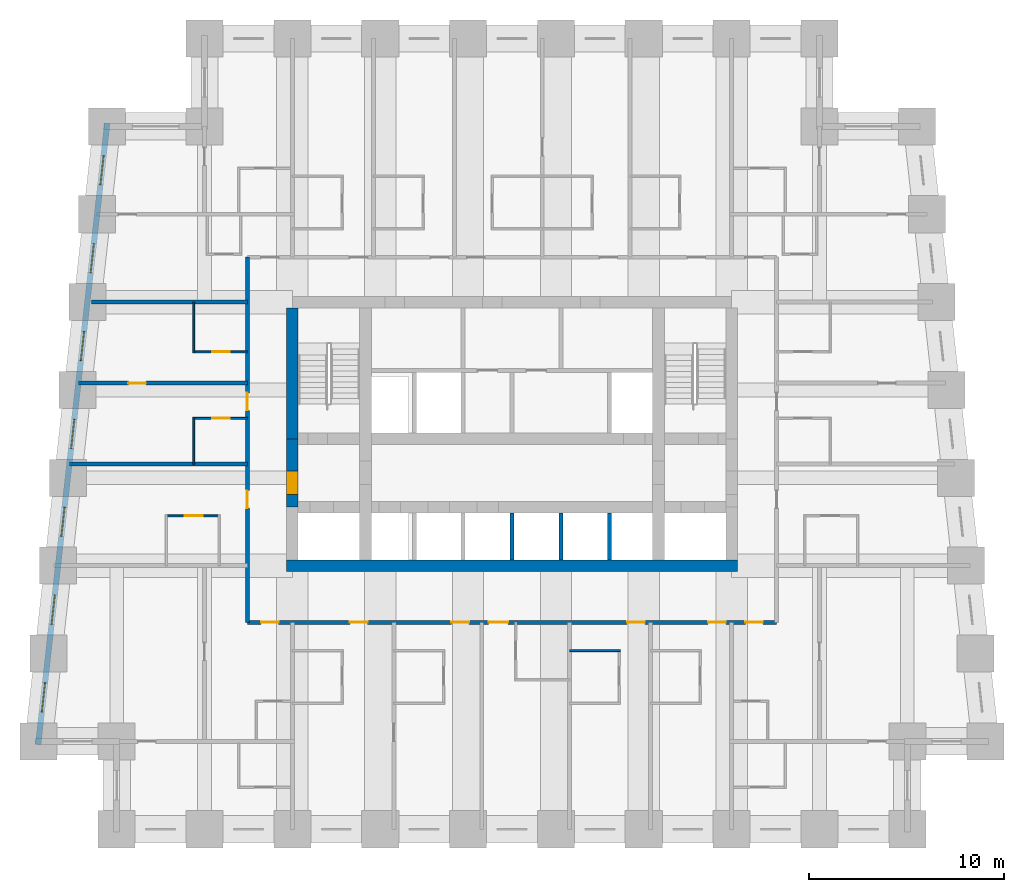
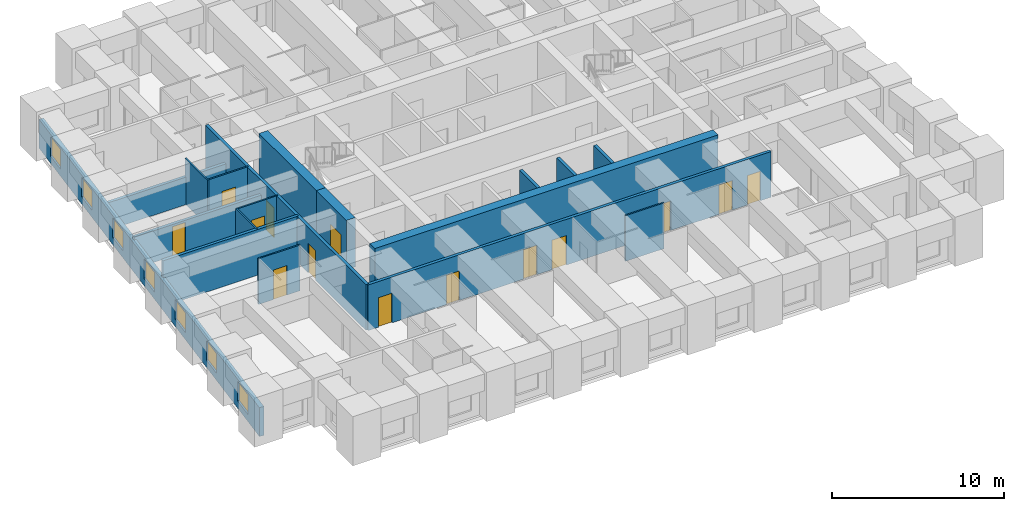
# One storey, part 3 of 8: 18 walls, 14 doors, 7 windows, 21 openings.
"""IFC4 building model written with IfcOpenShell, lengths in metres."""

from ifc_helpers import new_model, si_unit, direction, frame, frame_2d, origin, place, context, subcontext, project, spatial, rectangle, extrude, material, layer, layer_set, type_object, element, fill, save


model = new_model("IFC4")

# Units and contexts
model_context = context("Model", 3, precision=1e-05, world=origin(), true_north=direction((0.0, 1.0)))
body_context = subcontext(model_context, "Body", "Model", "MODEL_VIEW")
ifc_project = project(units=[si_unit("LENGTHUNIT", "METRE"), si_unit("AREAUNIT", "SQUARE_METRE"), si_unit("VOLUMEUNIT", "CUBIC_METRE"), si_unit("PLANEANGLEUNIT", "RADIAN"), si_unit("MASSUNIT", "GRAM", prefix="KILO")], contexts=[model_context])

# Site, building, storey
site_placement = place(None, origin())
site = spatial("IfcSite", under=ifc_project, at=site_placement, CompositionType="ELEMENT")
building_placement = place(site_placement, origin())
building = spatial("IfcBuilding", under=site, at=building_placement, Name="Kilele Tower Hotel", CompositionType="ELEMENT")
storey_placement = place(building_placement, frame((0.0, 0.0, 43.699951171875)))
storey = spatial("IfcBuildingStorey", under=building, at=storey_placement, Name="L09", CompositionType="ELEMENT", Elevation=43.699951171875)

# Wall
ifc_material_1 = material(Name="Moisture-resistant board")
ifc_layer_1 = layer(ifc_material_1, 0.10009765625)
ifc_layer_set_1 = layer_set([ifc_layer_1], Name="Moisture-resistant board")
wall_type_1 = type_object("IfcWallType", Name="Bathroom partition 100", PredefinedType="PLUMBINGWALL", material=ifc_layer_set_1)
wall_1_placement = place(storey_placement, frame((27.699951171875, 9.14990234375, 0.0), z_axis=(0.0, 0.0, 1.0), x_axis=(1.0, 0.0, 0.0)))
element("IfcWall", 1, at=wall_1_placement, inside=storey, type_object=wall_type_1, Name="Bathroom partition 100 L09", PredefinedType="PLUMBINGWALL", context=body_context, shape_type="SweptSolid", body=[
    extrude(rectangle(XDim=2.60009765625, YDim=0.10009765625, at=frame_2d((1.300048828125, 0.0))), origin(), (0.0, 0.0, 1.0), 3.25),
])

# Wall, opening, door
wall_2_placement = place(storey_placement, frame((9.800048828125, 16.050048828125, 0.0), z_axis=(0.0, 0.0, 1.0), x_axis=(-1.0, 0.0, 0.0)))
wall_2 = element("IfcWall", 2, at=wall_2_placement, inside=storey, type_object=wall_type_1, Name="Bathroom partition 100 L09", PredefinedType="PLUMBINGWALL", context=body_context, shape_type="SweptSolid", body=[
    extrude(rectangle(XDim=2.800048828125, YDim=0.10009765625, at=frame_2d((1.39990234375, 0.0))), origin(), (0.0, 0.0, 1.0), 3.25),
])
opening_1_placement = place(wall_2_placement, frame((1.7998046875, 0.0, 0.0), z_axis=(0.0, 0.0, 1.0), x_axis=(-1.0, 0.0, 0.0)))
opening_1 = element("IfcOpeningElement", 3, at=opening_1_placement, cuts=wall_2, Name="Opening D2A", PredefinedType="OPENING", context=body_context, shape_type="SweptSolid", body=[
    extrude(rectangle(XDim=0.89990234375, YDim=2.10009765625, at=frame_2d((0.449951171875, 1.050048828125))), frame((0.0, 0.06005859375, 0.0), z_axis=(0.0, -1.0, 0.0), x_axis=(1.0, 0.0, 0.0)), (0.0, 0.0, 1.0), 0.1201171875),
])
ifc_material_2 = material(Name="Timber door leaf in hardwood frame", Category="wood")
door_type_1 = type_object("IfcDoorType", Name="Bathroom door 900", OperationType="SINGLE_SWING_LEFT", PredefinedType="DOOR", material=ifc_material_2)
door_1_placement = place(opening_1_placement, origin())
door_1 = element("IfcDoor", 4, at=door_1_placement, inside=storey, type_object=door_type_1, Name="Bathroom door 0914B", OperationType="SINGLE_SWING_RIGHT", OverallHeight=2.10009765625, OverallWidth=0.89990234375, PredefinedType="DOOR", context=body_context, shape_type="SweptSolid", body=[
    extrude(rectangle(XDim=0.89990234375, YDim=2.10009765625, at=frame_2d((0.449951171875, 1.050048828125))), frame((0.0, 0.02490234375, 0.0), z_axis=(0.0, -1.0, 0.0), x_axis=(1.0, 0.0, 0.0)), (0.0, 0.0, 1.0), 0.050048828125),
])
fill(opening_1, door_1)

# Wall
wall_3_placement = place(storey_placement, frame((8.449951171875, 18.699951171875, 0.0), z_axis=(0.0, 0.0, 1.0), x_axis=(0.0, 1.0, 0.0)))
element("IfcWall", 5, at=wall_3_placement, inside=storey, type_object=wall_type_1, Name="Bathroom partition 100 L09", PredefinedType="PLUMBINGWALL", context=body_context, shape_type="SweptSolid", body=[
    extrude(rectangle(XDim=2.400146484375, YDim=0.10009765625, at=frame_2d((1.2001953125, 0.0))), origin(), (0.0, 0.0, 1.0), 3.25),
])

# Wall, opening, door
wall_4_placement = place(storey_placement, frame((11.199951171875, 21.050048828125, 0.0), z_axis=(0.0, 0.0, 1.0), x_axis=(-1.0, 0.0, 0.0)))
wall_4 = element("IfcWall", 6, at=wall_4_placement, inside=storey, type_object=wall_type_1, Name="Bathroom partition 100 L09", PredefinedType="PLUMBINGWALL", context=body_context, shape_type="SweptSolid", body=[
    extrude(rectangle(XDim=2.800048828125, YDim=0.10009765625, at=frame_2d((1.39990234375, 0.0))), origin(), (0.0, 0.0, 1.0), 3.25),
])
opening_2_placement = place(wall_4_placement, frame((1.7998046875, 0.0, 0.0), z_axis=(0.0, 0.0, 1.0), x_axis=(-1.0, 0.0, 0.0)))
opening_2 = element("IfcOpeningElement", 7, at=opening_2_placement, cuts=wall_4, Name="Opening D2A", PredefinedType="OPENING", context=body_context, shape_type="SweptSolid", body=[
    extrude(rectangle(XDim=0.89990234375, YDim=2.10009765625, at=frame_2d((0.449951171875, 1.050048828125))), frame((0.0, 0.06005859375, 0.0), z_axis=(0.0, -1.0, 0.0), x_axis=(1.0, 0.0, 0.0)), (0.0, 0.0, 1.0), 0.1201171875),
])
door_2_placement = place(opening_2_placement, origin())
door_2 = element("IfcDoor", 8, at=door_2_placement, inside=storey, type_object=door_type_1, Name="Bathroom door 0915B", OperationType="SINGLE_SWING_RIGHT", OverallHeight=2.10009765625, OverallWidth=0.89990234375, PredefinedType="DOOR", context=body_context, shape_type="SweptSolid", body=[
    extrude(rectangle(XDim=0.89990234375, YDim=2.10009765625, at=frame_2d((0.449951171875, 1.050048828125))), frame((0.0, 0.02490234375, 0.0), z_axis=(0.0, -1.0, 0.0), x_axis=(1.0, 0.0, 0.0)), (0.0, 0.0, 1.0), 0.050048828125),
])
fill(opening_2, door_2)

# Wall
wall_5_placement = place(storey_placement, frame((8.449951171875, 24.39990234375, 0.0), z_axis=(0.0, 0.0, 1.0), x_axis=(0.0, 1.0, 0.0)))
element("IfcWall", 9, at=wall_5_placement, inside=storey, type_object=wall_type_1, Name="Bathroom partition 100 L09", PredefinedType="PLUMBINGWALL", context=body_context, shape_type="SweptSolid", body=[
    extrude(rectangle(XDim=2.60009765625, YDim=0.10009765625, at=frame_2d((1.300048828125, 0.0))), origin(), (0.0, 0.0, 1.0), 3.25),
])

# Wall, opening, door
wall_6_placement = place(storey_placement, frame((11.199951171875, 24.449951171875, 0.0), z_axis=(0.0, 0.0, 1.0), x_axis=(-1.0, 0.0, 0.0)))
wall_6 = element("IfcWall", 10, at=wall_6_placement, inside=storey, type_object=wall_type_1, Name="Bathroom partition 100 L09", PredefinedType="PLUMBINGWALL", context=body_context, shape_type="SweptSolid", body=[
    extrude(rectangle(XDim=2.800048828125, YDim=0.10009765625, at=frame_2d((1.39990234375, 0.0))), origin(), (0.0, 0.0, 1.0), 3.25),
])
opening_3_placement = place(wall_6_placement, frame((0.89990234375, 0.0, 0.0)))
opening_3 = element("IfcOpeningElement", 11, at=opening_3_placement, cuts=wall_6, Name="Opening D2A", PredefinedType="OPENING", context=body_context, shape_type="SweptSolid", body=[
    extrude(rectangle(XDim=0.89990234375, YDim=2.10009765625, at=frame_2d((0.449951171875, 1.050048828125))), frame((0.0, 0.06005859375, 0.0), z_axis=(0.0, -1.0, 0.0), x_axis=(1.0, 0.0, 0.0)), (0.0, 0.0, 1.0), 0.1201171875),
])
door_3_placement = place(opening_3_placement, origin())
door_3 = element("IfcDoor", 12, at=door_3_placement, inside=storey, type_object=door_type_1, Name="Bathroom door 0916B", OperationType="SINGLE_SWING_LEFT", OverallHeight=2.10009765625, OverallWidth=0.89990234375, PredefinedType="DOOR", context=body_context, shape_type="SweptSolid", body=[
    extrude(rectangle(XDim=0.89990234375, YDim=2.10009765625, at=frame_2d((0.449951171875, 1.050048828125))), frame((0.0, 0.02490234375, 0.0), z_axis=(0.0, -1.0, 0.0), x_axis=(1.0, 0.0, 0.0)), (0.0, 0.0, 1.0), 0.050048828125),
])
fill(opening_3, door_3)

# Walls
ifc_material_3 = material(Name="Concrete C60/75", Category="concrete")
ifc_layer_2 = layer(ifc_material_3, 0.60009765625)
ifc_layer_set_2 = layer_set([ifc_layer_2], Name="Concrete C60/75")
wall_type_2 = type_object("IfcWallType", Name="Core wall 600 C60/75", PredefinedType="SHEAR", material=ifc_layer_set_2)
wall_7_placement = place(storey_placement, frame((13.199951171875, 13.5, 0.0), z_axis=(0.0, 0.0, 1.0), x_axis=(1.0, 0.0, 0.0)))
element("IfcWall", 13, at=wall_7_placement, inside=storey, type_object=wall_type_2, Name="Core wall S L09", PredefinedType="SHEAR", context=body_context, shape_type="SweptSolid", body=[
    extrude(rectangle(XDim=23.10009765625, YDim=0.60009765625, at=frame_2d((11.550048828125, 0.0))), origin(), (0.0, 0.0, 1.0), 3.5),
])
wall_8_placement = place(storey_placement, frame((13.5, 26.699951171875, 0.0), z_axis=(0.0, 0.0, 1.0), x_axis=(0.0, -1.0, 0.0)))
element("IfcWall", 14, at=wall_8_placement, inside=storey, type_object=wall_type_2, Name="Core wall W1 L09", PredefinedType="SHEAR", context=body_context, shape_type="SweptSolid", body=[
    extrude(rectangle(XDim=6.699951171875, YDim=0.60009765625, at=frame_2d((3.35009765625, 0.0))), origin(), (0.0, 0.0, 1.0), 3.5),
])

# Wall, opening, door
wall_9_placement = place(storey_placement, frame((13.5, 20.0, 0.0), z_axis=(0.0, 0.0, 1.0), x_axis=(0.0, -1.0, 0.0)))
wall_9 = element("IfcWall", 15, at=wall_9_placement, inside=storey, type_object=wall_type_2, Name="Core wall W2 L09", PredefinedType="SHEAR", context=body_context, shape_type="SweptSolid", body=[
    extrude(rectangle(XDim=3.5, YDim=0.60009765625, at=frame_2d((1.75, 0.0))), origin(), (0.0, 0.0, 1.0), 3.5),
])
opening_4_placement = place(wall_9_placement, frame((1.64990234375, 0.0, 0.0)))
opening_4 = element("IfcOpeningElement", 16, at=opening_4_placement, cuts=wall_9, Name="Opening D4", PredefinedType="OPENING", context=body_context, shape_type="SweptSolid", body=[
    extrude(rectangle(XDim=1.199951171875, YDim=2.10009765625, at=frame_2d((0.60009765625, 1.050048828125))), frame((0.0, 0.31005859375, 0.0), z_axis=(0.0, -1.0, 0.0), x_axis=(1.0, 0.0, 0.0)), (0.0, 0.0, 1.0), 0.6201171875),
])
ifc_material_4 = material(Name="Timber door leaf in hardwood frame", Category="wood")
door_type_2 = type_object("IfcDoorType", Name="Firefighting lobby door 1200", OperationType="SINGLE_SWING_LEFT", PredefinedType="DOOR", material=ifc_material_4)
door_4_placement = place(opening_4_placement, origin())
door_4 = element("IfcDoor", 17, at=door_4_placement, inside=storey, type_object=door_type_2, Name="Lobby door L09", OperationType="SINGLE_SWING_RIGHT", OverallHeight=2.10009765625, OverallWidth=1.199951171875, PredefinedType="DOOR", context=body_context, shape_type="SweptSolid", body=[
    extrude(rectangle(XDim=1.199951171875, YDim=2.10009765625, at=frame_2d((0.60009765625, 1.050048828125))), frame((0.0, 0.2998046875, 0.0), z_axis=(0.0, -1.0, 0.0), x_axis=(1.0, 0.0, 0.0)), (0.0, 0.0, 1.0), 0.599609375),
])
fill(opening_4, door_4)

# Wall, openings, doors
ifc_material_5 = material(Name="Blockwork, plastered both sides", Category="masonry")
ifc_layer_3 = layer(ifc_material_5, 0.199951171875)
ifc_layer_set_3 = layer_set([ifc_layer_3], Name="Blockwork, plastered both sides")
wall_type_3 = type_object("IfcWallType", Name="Corridor wall 200", PredefinedType="PARTITIONING", material=ifc_layer_set_3)
wall_10_placement = place(storey_placement, frame((11.199951171875, 10.60009765625, 0.0), z_axis=(0.0, 0.0, 1.0), x_axis=(1.0, 0.0, 0.0)))
wall_10 = element("IfcWall", 18, at=wall_10_placement, inside=storey, type_object=wall_type_3, Name="Corridor wall 200 L09", PredefinedType="PARTITIONING", context=body_context, shape_type="SweptSolid", body=[
    extrude(rectangle(XDim=27.10009765625, YDim=0.199951171875, at=frame_2d((13.550048828125, 0.0))), origin(), (0.0, 0.0, 1.0), 3.25),
])
opening_5_placement = place(wall_10_placement, frame((6.14990234375, 0.0, 0.0), z_axis=(0.0, 0.0, 1.0), x_axis=(-1.0, 0.0, 0.0)))
opening_5 = element("IfcOpeningElement", 19, at=opening_5_placement, cuts=wall_10, Name="Opening D1", PredefinedType="OPENING", context=body_context, shape_type="SweptSolid", body=[
    extrude(rectangle(XDim=0.89990234375, YDim=2.10009765625, at=frame_2d((0.449951171875, 1.050048828125))), frame((0.0, 0.10986328125, 0.0), z_axis=(0.0, -1.0, 0.0), x_axis=(1.0, 0.0, 0.0)), (0.0, 0.0, 1.0), 0.219970703125),
])
opening_6_placement = place(wall_10_placement, frame((11.349853515625, 0.0, 0.0), z_axis=(0.0, 0.0, 1.0), x_axis=(-1.0, 0.0, 0.0)))
opening_6 = element("IfcOpeningElement", 20, at=opening_6_placement, cuts=wall_10, Name="Opening D1", PredefinedType="OPENING", context=body_context, shape_type="SweptSolid", body=[
    extrude(rectangle(XDim=0.89990234375, YDim=2.10009765625, at=frame_2d((0.449951171875, 1.050048828125))), frame((0.0, 0.10986328125, 0.0), z_axis=(0.0, -1.0, 0.0), x_axis=(1.0, 0.0, 0.0)), (0.0, 0.0, 1.0), 0.219970703125),
])
opening_7_placement = place(wall_10_placement, frame((13.35009765625, 0.0, 0.0), z_axis=(0.0, 0.0, 1.0), x_axis=(-1.0, 0.0, 0.0)))
opening_7 = element("IfcOpeningElement", 21, at=opening_7_placement, cuts=wall_10, Name="Opening D1A", PredefinedType="OPENING", context=body_context, shape_type="SweptSolid", body=[
    extrude(rectangle(XDim=1.0, YDim=2.10009765625, at=frame_2d((0.5, 1.050048828125))), frame((0.0, 0.10986328125, 0.0), z_axis=(0.0, -1.0, 0.0), x_axis=(1.0, 0.0, 0.0)), (0.0, 0.0, 1.0), 0.219970703125),
])
opening_8_placement = place(wall_10_placement, frame((20.349853515625, 0.0, 0.0), z_axis=(0.0, 0.0, 1.0), x_axis=(-1.0, 0.0, 0.0)))
opening_8 = element("IfcOpeningElement", 22, at=opening_8_placement, cuts=wall_10, Name="Opening D1", PredefinedType="OPENING", context=body_context, shape_type="SweptSolid", body=[
    extrude(rectangle(XDim=0.89990234375, YDim=2.10009765625, at=frame_2d((0.449951171875, 1.050048828125))), frame((0.0, 0.10986328125, 0.0), z_axis=(0.0, -1.0, 0.0), x_axis=(1.0, 0.0, 0.0)), (0.0, 0.0, 1.0), 0.219970703125),
])
opening_9_placement = place(wall_10_placement, frame((24.5, 0.0, 0.0), z_axis=(0.0, 0.0, 1.0), x_axis=(-1.0, 0.0, 0.0)))
opening_9 = element("IfcOpeningElement", 23, at=opening_9_placement, cuts=wall_10, Name="Opening D1", PredefinedType="OPENING", context=body_context, shape_type="SweptSolid", body=[
    extrude(rectangle(XDim=0.89990234375, YDim=2.10009765625, at=frame_2d((0.449951171875, 1.050048828125))), frame((0.0, 0.10986328125, 0.0), z_axis=(0.0, -1.0, 0.0), x_axis=(1.0, 0.0, 0.0)), (0.0, 0.0, 1.0), 0.219970703125),
])
opening_10_placement = place(wall_10_placement, frame((1.599853515625, 0.0, 0.0), z_axis=(0.0, 0.0, 1.0), x_axis=(-1.0, 0.0, 0.0)))
opening_10 = element("IfcOpeningElement", 24, at=opening_10_placement, cuts=wall_10, Name="Opening D1", PredefinedType="OPENING", context=body_context, shape_type="SweptSolid", body=[
    extrude(rectangle(XDim=0.89990234375, YDim=2.10009765625, at=frame_2d((0.449951171875, 1.050048828125))), frame((0.0, 0.10986328125, 0.0), z_axis=(0.0, -1.0, 0.0), x_axis=(1.0, 0.0, 0.0)), (0.0, 0.0, 1.0), 0.219970703125),
])
opening_11_placement = place(wall_10_placement, frame((26.39990234375, 0.0, 0.0), z_axis=(0.0, 0.0, 1.0), x_axis=(-1.0, 0.0, 0.0)))
opening_11 = element("IfcOpeningElement", 25, at=opening_11_placement, cuts=wall_10, Name="Opening D1", PredefinedType="OPENING", context=body_context, shape_type="SweptSolid", body=[
    extrude(rectangle(XDim=0.89990234375, YDim=2.10009765625, at=frame_2d((0.449951171875, 1.050048828125))), frame((0.0, 0.10986328125, 0.0), z_axis=(0.0, -1.0, 0.0), x_axis=(1.0, 0.0, 0.0)), (0.0, 0.0, 1.0), 0.219970703125),
])
ifc_material_6 = material(Name="Timber door leaf in hardwood frame", Category="wood")
door_type_3 = type_object("IfcDoorType", Name="Guest room entrance door 1000", OperationType="SINGLE_SWING_LEFT", PredefinedType="DOOR", material=ifc_material_6)
door_5_placement = place(opening_7_placement, origin())
door_5 = element("IfcDoor", 26, at=door_5_placement, inside=storey, type_object=door_type_3, Name="Room entrance 0903", OperationType="SINGLE_SWING_RIGHT", OverallHeight=2.10009765625, OverallWidth=1.0, PredefinedType="DOOR", context=body_context, shape_type="SweptSolid", body=[
    extrude(rectangle(XDim=1.0, YDim=2.10009765625, at=frame_2d((0.5, 1.050048828125))), frame((0.0, 0.02490234375, 0.0), z_axis=(0.0, -1.0, 0.0), x_axis=(1.0, 0.0, 0.0)), (0.0, 0.0, 1.0), 0.050048828125),
])
fill(opening_7, door_5)
ifc_material_7 = material(Name="Timber door leaf in hardwood frame", Category="wood")
door_type_4 = type_object("IfcDoorType", Name="Guest room entrance door 900", OperationType="SINGLE_SWING_LEFT", PredefinedType="DOOR", material=ifc_material_7)
door_6_placement = place(opening_5_placement, origin())
door_6 = element("IfcDoor", 27, at=door_6_placement, inside=storey, type_object=door_type_4, Name="Room entrance 0901", OperationType="SINGLE_SWING_LEFT", OverallHeight=2.10009765625, OverallWidth=0.89990234375, PredefinedType="DOOR", context=body_context, shape_type="SweptSolid", body=[
    extrude(rectangle(XDim=0.89990234375, YDim=2.10009765625, at=frame_2d((0.449951171875, 1.050048828125))), frame((0.0, 0.02490234375, 0.0), z_axis=(0.0, -1.0, 0.0), x_axis=(1.0, 0.0, 0.0)), (0.0, 0.0, 1.0), 0.050048828125),
])
fill(opening_5, door_6)
door_7_placement = place(opening_6_placement, origin())
door_7 = element("IfcDoor", 28, at=door_7_placement, inside=storey, type_object=door_type_4, Name="Room entrance 0902", OperationType="SINGLE_SWING_LEFT", OverallHeight=2.10009765625, OverallWidth=0.89990234375, PredefinedType="DOOR", context=body_context, shape_type="SweptSolid", body=[
    extrude(rectangle(XDim=0.89990234375, YDim=2.10009765625, at=frame_2d((0.449951171875, 1.050048828125))), frame((0.0, 0.02490234375, 0.0), z_axis=(0.0, -1.0, 0.0), x_axis=(1.0, 0.0, 0.0)), (0.0, 0.0, 1.0), 0.050048828125),
])
fill(opening_6, door_7)
door_8_placement = place(opening_8_placement, origin())
door_8 = element("IfcDoor", 29, at=door_8_placement, inside=storey, type_object=door_type_4, Name="Room entrance 0904", OperationType="SINGLE_SWING_LEFT", OverallHeight=2.10009765625, OverallWidth=0.89990234375, PredefinedType="DOOR", context=body_context, shape_type="SweptSolid", body=[
    extrude(rectangle(XDim=0.89990234375, YDim=2.10009765625, at=frame_2d((0.449951171875, 1.050048828125))), frame((0.0, 0.02490234375, 0.0), z_axis=(0.0, -1.0, 0.0), x_axis=(1.0, 0.0, 0.0)), (0.0, 0.0, 1.0), 0.050048828125),
])
fill(opening_8, door_8)
door_9_placement = place(opening_9_placement, origin())
door_9 = element("IfcDoor", 30, at=door_9_placement, inside=storey, type_object=door_type_4, Name="Room entrance 0905", OperationType="SINGLE_SWING_LEFT", OverallHeight=2.10009765625, OverallWidth=0.89990234375, PredefinedType="DOOR", context=body_context, shape_type="SweptSolid", body=[
    extrude(rectangle(XDim=0.89990234375, YDim=2.10009765625, at=frame_2d((0.449951171875, 1.050048828125))), frame((0.0, 0.02490234375, 0.0), z_axis=(0.0, -1.0, 0.0), x_axis=(1.0, 0.0, 0.0)), (0.0, 0.0, 1.0), 0.050048828125),
])
fill(opening_9, door_9)
door_10_placement = place(opening_10_placement, origin())
door_10 = element("IfcDoor", 31, at=door_10_placement, inside=storey, type_object=door_type_4, Name="Room entrance 0917", OperationType="SINGLE_SWING_LEFT", OverallHeight=2.10009765625, OverallWidth=0.89990234375, PredefinedType="DOOR", context=body_context, shape_type="SweptSolid", body=[
    extrude(rectangle(XDim=0.89990234375, YDim=2.10009765625, at=frame_2d((0.449951171875, 1.050048828125))), frame((0.0, 0.02490234375, 0.0), z_axis=(0.0, -1.0, 0.0), x_axis=(1.0, 0.0, 0.0)), (0.0, 0.0, 1.0), 0.050048828125),
])
fill(opening_10, door_10)
door_11_placement = place(opening_11_placement, origin())
door_11 = element("IfcDoor", 32, at=door_11_placement, inside=storey, type_object=door_type_4, Name="Room entrance 0920", OperationType="SINGLE_SWING_RIGHT", OverallHeight=2.10009765625, OverallWidth=0.89990234375, PredefinedType="DOOR", context=body_context, shape_type="SweptSolid", body=[
    extrude(rectangle(XDim=0.89990234375, YDim=2.10009765625, at=frame_2d((0.449951171875, 1.050048828125))), frame((0.0, 0.02490234375, 0.0), z_axis=(0.0, -1.0, 0.0), x_axis=(1.0, 0.0, 0.0)), (0.0, 0.0, 1.0), 0.050048828125),
])
fill(opening_11, door_11)

wall_11_placement = place(storey_placement, frame((11.199951171875, 10.60009765625, 0.0), z_axis=(0.0, 0.0, 1.0), x_axis=(0.0, 1.0, 0.0)))
wall_11 = element("IfcWall", 33, at=wall_11_placement, inside=storey, type_object=wall_type_3, Name="Corridor wall 200 L09", PredefinedType="PARTITIONING", context=body_context, shape_type="SweptSolid", body=[
    extrude(rectangle(XDim=18.699951171875, YDim=0.199951171875, at=frame_2d((9.35009765625, 0.0))), origin(), (0.0, 0.0, 1.0), 3.25),
])
opening_12_placement = place(wall_11_placement, frame((5.85009765625, 0.0, 0.0)))
opening_12 = element("IfcOpeningElement", 34, at=opening_12_placement, cuts=wall_11, Name="Opening D1", PredefinedType="OPENING", context=body_context, shape_type="SweptSolid", body=[
    extrude(rectangle(XDim=0.89990234375, YDim=2.10009765625, at=frame_2d((0.449951171875, 1.050048828125))), frame((0.0, 0.10986328125, 0.0), z_axis=(0.0, -1.0, 0.0), x_axis=(1.0, 0.0, 0.0)), (0.0, 0.0, 1.0), 0.219970703125),
])
opening_13_placement = place(wall_11_placement, frame((10.85009765625, 0.0, 0.0)))
opening_13 = element("IfcOpeningElement", 35, at=opening_13_placement, cuts=wall_11, Name="Opening D1", PredefinedType="OPENING", context=body_context, shape_type="SweptSolid", body=[
    extrude(rectangle(XDim=0.89990234375, YDim=2.10009765625, at=frame_2d((0.449951171875, 1.050048828125))), frame((0.0, 0.10986328125, 0.0), z_axis=(0.0, -1.0, 0.0), x_axis=(1.0, 0.0, 0.0)), (0.0, 0.0, 1.0), 0.219970703125),
])
door_12_placement = place(opening_12_placement, origin())
door_12 = element("IfcDoor", 36, at=door_12_placement, inside=storey, type_object=door_type_4, Name="Room entrance 0914", OperationType="SINGLE_SWING_RIGHT", OverallHeight=2.10009765625, OverallWidth=0.89990234375, PredefinedType="DOOR", context=body_context, shape_type="SweptSolid", body=[
    extrude(rectangle(XDim=0.89990234375, YDim=2.10009765625, at=frame_2d((0.449951171875, 1.050048828125))), frame((0.0, 0.02490234375, 0.0), z_axis=(0.0, -1.0, 0.0), x_axis=(1.0, 0.0, 0.0)), (0.0, 0.0, 1.0), 0.050048828125),
])
fill(opening_12, door_12)
door_13_placement = place(opening_13_placement, origin())
door_13 = element("IfcDoor", 37, at=door_13_placement, inside=storey, type_object=door_type_4, Name="Room entrance 0915", OperationType="SINGLE_SWING_RIGHT", OverallHeight=2.10009765625, OverallWidth=0.89990234375, PredefinedType="DOOR", context=body_context, shape_type="SweptSolid", body=[
    extrude(rectangle(XDim=0.89990234375, YDim=2.10009765625, at=frame_2d((0.449951171875, 1.050048828125))), frame((0.0, 0.02490234375, 0.0), z_axis=(0.0, -1.0, 0.0), x_axis=(1.0, 0.0, 0.0)), (0.0, 0.0, 1.0), 0.050048828125),
])
fill(opening_13, door_13)

# Wall
ifc_material_8 = material(Name="Blockwork, plastered both sides", Category="masonry")
ifc_layer_4 = layer(ifc_material_8, 0.199951171875)
ifc_layer_set_4 = layer_set([ifc_layer_4], Name="Blockwork, plastered both sides")
wall_type_4 = type_object("IfcWallType", Name="Party wall 200", PredefinedType="PARTITIONING", material=ifc_layer_set_4)
wall_12_placement = place(storey_placement, frame((11.199951171875, 18.699951171875, 0.0), z_axis=(0.0, 0.0, 1.0), x_axis=(-1.0, 0.0, 0.0)))
element("IfcWall", 38, at=wall_12_placement, inside=storey, type_object=wall_type_4, Name="Party wall 200 L09", PredefinedType="PARTITIONING", context=body_context, shape_type="SweptSolid", body=[
    extrude(rectangle(XDim=9.121337890625, YDim=0.199951171875, at=frame_2d((4.560546875, 0.0))), origin(), (0.0, 0.0, 1.0), 3.25),
])

# Wall, opening, door
wall_13_placement = place(storey_placement, frame((11.199951171875, 22.85009765625, 0.0), z_axis=(0.0, 0.0, 1.0), x_axis=(-1.0, 0.0, 0.0)))
wall_13 = element("IfcWall", 39, at=wall_13_placement, inside=storey, type_object=wall_type_4, Name="Party wall 200 L09", PredefinedType="PARTITIONING", context=body_context, shape_type="SweptSolid", body=[
    extrude(rectangle(XDim=8.66015625, YDim=0.199951171875, at=frame_2d((4.330078125, 0.0))), origin(), (0.0, 0.0, 1.0), 2.25),
])
opening_14_placement = place(wall_13_placement, frame((5.199951171875, 0.0, 0.0)))
opening_14 = element("IfcOpeningElement", 40, at=opening_14_placement, cuts=wall_13, Name="Opening D3", PredefinedType="OPENING", context=body_context, shape_type="SweptSolid", body=[
    extrude(rectangle(XDim=0.89990234375, YDim=2.10009765625, at=frame_2d((0.449951171875, 1.050048828125))), frame((0.0, 0.10986328125, 0.0), z_axis=(0.0, -1.0, 0.0), x_axis=(1.0, 0.0, 0.0)), (0.0, 0.0, 1.0), 0.219970703125),
])
ifc_material_9 = material(Name="Timber door leaf in hardwood frame", Category="wood")
door_type_5 = type_object("IfcDoorType", Name="Suite internal door 900", OperationType="SINGLE_SWING_LEFT", PredefinedType="DOOR", material=ifc_material_9)
door_14_placement = place(opening_14_placement, origin())
door_14 = element("IfcDoor", 41, at=door_14_placement, inside=storey, type_object=door_type_5, Name="Suite door 0916", OperationType="SINGLE_SWING_RIGHT", OverallHeight=2.10009765625, OverallWidth=0.89990234375, PredefinedType="DOOR", context=body_context, shape_type="SweptSolid", body=[
    extrude(rectangle(XDim=0.89990234375, YDim=2.10009765625, at=frame_2d((0.449951171875, 1.050048828125))), frame((0.0, 0.02490234375, 0.0), z_axis=(0.0, -1.0, 0.0), x_axis=(1.0, 0.0, 0.0)), (0.0, 0.0, 1.0), 0.050048828125),
])
fill(opening_14, door_14)

# Wall
wall_14_placement = place(storey_placement, frame((11.199951171875, 27.0, 0.0), z_axis=(0.0, 0.0, 1.0), x_axis=(-1.0, 0.0, 0.0)))
element("IfcWall", 42, at=wall_14_placement, inside=storey, type_object=wall_type_4, Name="Party wall 200 L09", PredefinedType="PARTITIONING", context=body_context, shape_type="SweptSolid", body=[
    extrude(rectangle(XDim=7.976806640625, YDim=0.199951171875, at=frame_2d((3.98828125, 0.0))), origin(), (0.0, 0.0, 1.0), 1.949951171875),
])

# Wall, openings, windows
ifc_material_10 = material(Name="Concrete C40/50 precast", Category="concrete")
ifc_layer_5 = layer(ifc_material_10, 0.260009765625, Name="Precast backing", Category="LoadBearing")
ifc_material_11 = material(Name="Reconstituted stone finish", Category="masonry")
ifc_layer_6 = layer(ifc_material_11, 0.0400390625, Name="Face mix", Category="Finish")
ifc_layer_set_5 = layer_set([ifc_layer_5, ifc_layer_6], Name="Precast concrete C40/50, reconstituted stone finish")
wall_type_5 = type_object("IfcWallType", Name="Precast stone facade wall 300", PredefinedType="STANDARD", material=ifc_layer_set_5)
wall_15_placement = place(storey_placement, frame((4.0166015625, 36.149169921875, 0.0), z_axis=(0.0, 0.0, 1.0), x_axis=(-0.110433201132, -0.993883548555, 0.0)))
wall_15 = element("IfcWall", 43, at=wall_15_placement, inside=storey, type_object=wall_type_5, Name="Facade wall L09 edge 12", PredefinedType="STANDARD", context=body_context, shape_type="SweptSolid", body=[
    extrude(rectangle(XDim=31.994140625, YDim=0.300048828125, at=frame_2d((15.9970703125, 0.0))), origin(), (0.0, 0.0, 1.0), 2.050048828125),
])
opening_15_placement = place(wall_15_placement, frame((1.6640625, 0.0, 0.5)))
opening_15 = element("IfcOpeningElement", 44, at=opening_15_placement, cuts=wall_15, Name="Opening W1", PredefinedType="OPENING", context=body_context, shape_type="SweptSolid", body=[
    extrude(rectangle(XDim=1.5, YDim=1.39990234375, at=frame_2d((0.75, 0.699951171875))), frame((0.0, 0.159912109375, 0.0), z_axis=(0.0, -1.0, 0.0), x_axis=(1.0, 0.0, 0.0)), (0.0, 0.0, 1.0), 0.320068359375),
])
opening_16_placement = place(wall_15_placement, frame((6.19189453125, 0.0, 0.5)))
opening_16 = element("IfcOpeningElement", 45, at=opening_16_placement, cuts=wall_15, Name="Opening W1", PredefinedType="OPENING", context=body_context, shape_type="SweptSolid", body=[
    extrude(rectangle(XDim=1.5, YDim=1.39990234375, at=frame_2d((0.75, 0.699951171875))), frame((0.0, 0.159912109375, 0.0), z_axis=(0.0, -1.0, 0.0), x_axis=(1.0, 0.0, 0.0)), (0.0, 0.0, 1.0), 0.320068359375),
])
opening_17_placement = place(wall_15_placement, frame((10.718994140625, 0.0, 0.5)))
opening_17 = element("IfcOpeningElement", 46, at=opening_17_placement, cuts=wall_15, Name="Opening W1", PredefinedType="OPENING", context=body_context, shape_type="SweptSolid", body=[
    extrude(rectangle(XDim=1.5, YDim=1.39990234375, at=frame_2d((0.75, 0.699951171875))), frame((0.0, 0.159912109375, 0.0), z_axis=(0.0, -1.0, 0.0), x_axis=(1.0, 0.0, 0.0)), (0.0, 0.0, 1.0), 0.320068359375),
])
opening_18_placement = place(wall_15_placement, frame((15.2470703125, 0.0, 0.5)))
opening_18 = element("IfcOpeningElement", 47, at=opening_18_placement, cuts=wall_15, Name="Opening W1", PredefinedType="OPENING", context=body_context, shape_type="SweptSolid", body=[
    extrude(rectangle(XDim=1.5, YDim=1.39990234375, at=frame_2d((0.75, 0.699951171875))), frame((0.0, 0.159912109375, 0.0), z_axis=(0.0, -1.0, 0.0), x_axis=(1.0, 0.0, 0.0)), (0.0, 0.0, 1.0), 0.320068359375),
])
opening_19_placement = place(wall_15_placement, frame((19.77490234375, 0.0, 0.5)))
opening_19 = element("IfcOpeningElement", 48, at=opening_19_placement, cuts=wall_15, Name="Opening W1", PredefinedType="OPENING", context=body_context, shape_type="SweptSolid", body=[
    extrude(rectangle(XDim=1.5, YDim=1.39990234375, at=frame_2d((0.75, 0.699951171875))), frame((0.0, 0.159912109375, 0.0), z_axis=(0.0, -1.0, 0.0), x_axis=(1.0, 0.0, 0.0)), (0.0, 0.0, 1.0), 0.320068359375),
])
opening_20_placement = place(wall_15_placement, frame((24.302001953125, 0.0, 0.5)))
opening_20 = element("IfcOpeningElement", 49, at=opening_20_placement, cuts=wall_15, Name="Opening W1", PredefinedType="OPENING", context=body_context, shape_type="SweptSolid", body=[
    extrude(rectangle(XDim=1.5, YDim=1.39990234375, at=frame_2d((0.75, 0.699951171875))), frame((0.0, 0.159912109375, 0.0), z_axis=(0.0, -1.0, 0.0), x_axis=(1.0, 0.0, 0.0)), (0.0, 0.0, 1.0), 0.320068359375),
])
opening_21_placement = place(wall_15_placement, frame((28.830078125, 0.0, 0.5)))
opening_21 = element("IfcOpeningElement", 50, at=opening_21_placement, cuts=wall_15, Name="Opening W1", PredefinedType="OPENING", context=body_context, shape_type="SweptSolid", body=[
    extrude(rectangle(XDim=1.5, YDim=1.39990234375, at=frame_2d((0.75, 0.699951171875))), frame((0.0, 0.159912109375, 0.0), z_axis=(0.0, -1.0, 0.0), x_axis=(1.0, 0.0, 0.0)), (0.0, 0.0, 1.0), 0.320068359375),
])
ifc_material_12 = material(Name="Aluminium frame, clear double glazing", Category="aluminium")
window_type = type_object("IfcWindowType", Name="Window W1 1500 x 1400", PartitioningType="SINGLE_PANEL", PredefinedType="WINDOW", material=ifc_material_12)
window_1_placement = place(opening_15_placement, origin())
window_1 = element("IfcWindow", 51, at=window_1_placement, inside=storey, type_object=window_type, Name="Window L09", OverallHeight=1.39990234375, OverallWidth=1.5, PartitioningType="SINGLE_PANEL", PredefinedType="WINDOW", context=body_context, shape_type="SweptSolid", body=[
    extrude(rectangle(XDim=1.5, YDim=1.39990234375, at=frame_2d((0.75, 0.699951171875))), frame((0.0, 0.030029296875, 0.0), z_axis=(0.0, -1.0, 0.0), x_axis=(1.0, 0.0, 0.0)), (0.0, 0.0, 1.0), 0.06005859375),
])
fill(opening_15, window_1)
window_2_placement = place(opening_16_placement, origin())
window_2 = element("IfcWindow", 52, at=window_2_placement, inside=storey, type_object=window_type, Name="Window L09", OverallHeight=1.39990234375, OverallWidth=1.5, PartitioningType="SINGLE_PANEL", PredefinedType="WINDOW", context=body_context, shape_type="SweptSolid", body=[
    extrude(rectangle(XDim=1.5, YDim=1.39990234375, at=frame_2d((0.75, 0.699951171875))), frame((0.0, 0.030029296875, 0.0), z_axis=(0.0, -1.0, 0.0), x_axis=(1.0, 0.0, 0.0)), (0.0, 0.0, 1.0), 0.06005859375),
])
fill(opening_16, window_2)
window_3_placement = place(opening_17_placement, origin())
window_3 = element("IfcWindow", 53, at=window_3_placement, inside=storey, type_object=window_type, Name="Window L09", OverallHeight=1.39990234375, OverallWidth=1.5, PartitioningType="SINGLE_PANEL", PredefinedType="WINDOW", context=body_context, shape_type="SweptSolid", body=[
    extrude(rectangle(XDim=1.5, YDim=1.39990234375, at=frame_2d((0.75, 0.699951171875))), frame((0.0, 0.030029296875, 0.0), z_axis=(0.0, -1.0, 0.0), x_axis=(1.0, 0.0, 0.0)), (0.0, 0.0, 1.0), 0.06005859375),
])
fill(opening_17, window_3)
window_4_placement = place(opening_18_placement, origin())
window_4 = element("IfcWindow", 54, at=window_4_placement, inside=storey, type_object=window_type, Name="Window L09", OverallHeight=1.39990234375, OverallWidth=1.5, PartitioningType="SINGLE_PANEL", PredefinedType="WINDOW", context=body_context, shape_type="SweptSolid", body=[
    extrude(rectangle(XDim=1.5, YDim=1.39990234375, at=frame_2d((0.75, 0.699951171875))), frame((0.0, 0.030029296875, 0.0), z_axis=(0.0, -1.0, 0.0), x_axis=(1.0, 0.0, 0.0)), (0.0, 0.0, 1.0), 0.06005859375),
])
fill(opening_18, window_4)
window_5_placement = place(opening_19_placement, origin())
window_5 = element("IfcWindow", 55, at=window_5_placement, inside=storey, type_object=window_type, Name="Window L09", OverallHeight=1.39990234375, OverallWidth=1.5, PartitioningType="SINGLE_PANEL", PredefinedType="WINDOW", context=body_context, shape_type="SweptSolid", body=[
    extrude(rectangle(XDim=1.5, YDim=1.39990234375, at=frame_2d((0.75, 0.699951171875))), frame((0.0, 0.030029296875, 0.0), z_axis=(0.0, -1.0, 0.0), x_axis=(1.0, 0.0, 0.0)), (0.0, 0.0, 1.0), 0.06005859375),
])
fill(opening_19, window_5)
window_6_placement = place(opening_20_placement, origin())
window_6 = element("IfcWindow", 56, at=window_6_placement, inside=storey, type_object=window_type, Name="Window L09", OverallHeight=1.39990234375, OverallWidth=1.5, PartitioningType="SINGLE_PANEL", PredefinedType="WINDOW", context=body_context, shape_type="SweptSolid", body=[
    extrude(rectangle(XDim=1.5, YDim=1.39990234375, at=frame_2d((0.75, 0.699951171875))), frame((0.0, 0.030029296875, 0.0), z_axis=(0.0, -1.0, 0.0), x_axis=(1.0, 0.0, 0.0)), (0.0, 0.0, 1.0), 0.06005859375),
])
fill(opening_20, window_6)
window_7_placement = place(opening_21_placement, origin())
window_7 = element("IfcWindow", 57, at=window_7_placement, inside=storey, type_object=window_type, Name="Window L09", OverallHeight=1.39990234375, OverallWidth=1.5, PartitioningType="SINGLE_PANEL", PredefinedType="WINDOW", context=body_context, shape_type="SweptSolid", body=[
    extrude(rectangle(XDim=1.5, YDim=1.39990234375, at=frame_2d((0.75, 0.699951171875))), frame((0.0, 0.030029296875, 0.0), z_axis=(0.0, -1.0, 0.0), x_axis=(1.0, 0.0, 0.0)), (0.0, 0.0, 1.0), 0.06005859375),
])
fill(opening_21, window_7)

# Walls
ifc_material_13 = material(Name="Blockwork, fire-rated", Category="masonry")
ifc_layer_7 = layer(ifc_material_13, 0.199951171875)
ifc_layer_set_6 = layer_set([ifc_layer_7], Name="Blockwork, fire-rated")
wall_type_6 = type_object("IfcWallType", Name="Shaft wall 200", PredefinedType="PARTITIONING", material=ifc_layer_set_6)
for number, where, z_axis, x_axis, name in (
    (58, (24.75, 13.800048828125, 0.0), (0.0, 0.0, 1.0), (0.0, 1.0, 0.0), "Shaft wall 200 L09"),
    (59, (27.25, 13.800048828125, 0.0), (0.0, 0.0, 1.0), (0.0, 1.0, 0.0), "Shaft wall 200 L09"),
    (60, (29.75, 13.800048828125, 0.0), (0.0, 0.0, 1.0), (0.0, 1.0, 0.0), "Shaft wall 200 L09"),
):
    element("IfcWall", number, at=place(storey_placement, frame(where, z_axis=z_axis, x_axis=x_axis)), inside=storey, type_object=wall_type_6, Name=name, PredefinedType="PARTITIONING", context=body_context, shape_type="SweptSolid", body=[
        extrude(rectangle(XDim=2.39990234375, YDim=0.199951171875, at=frame_2d((1.199951171875, 0.0))), origin(), (0.0, 0.0, 1.0), 3.25),
    ])

save(model, "model.ifc")
